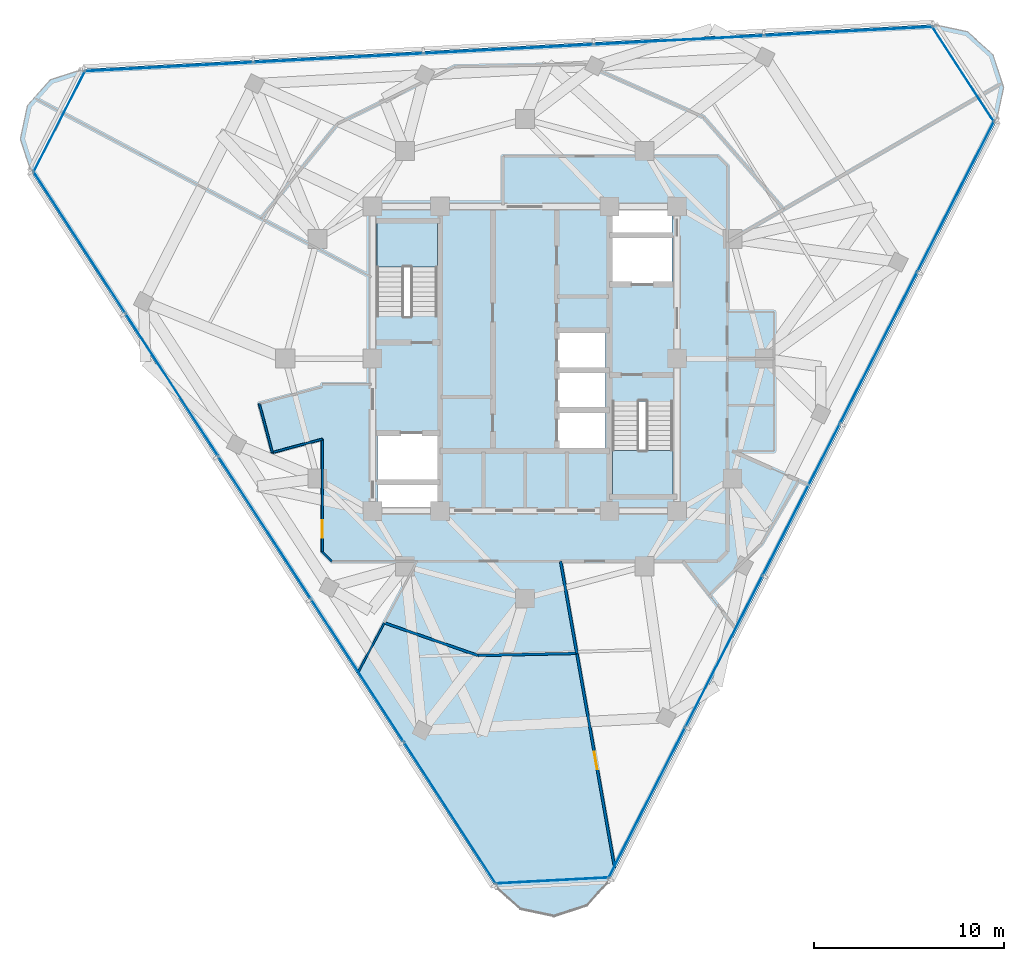
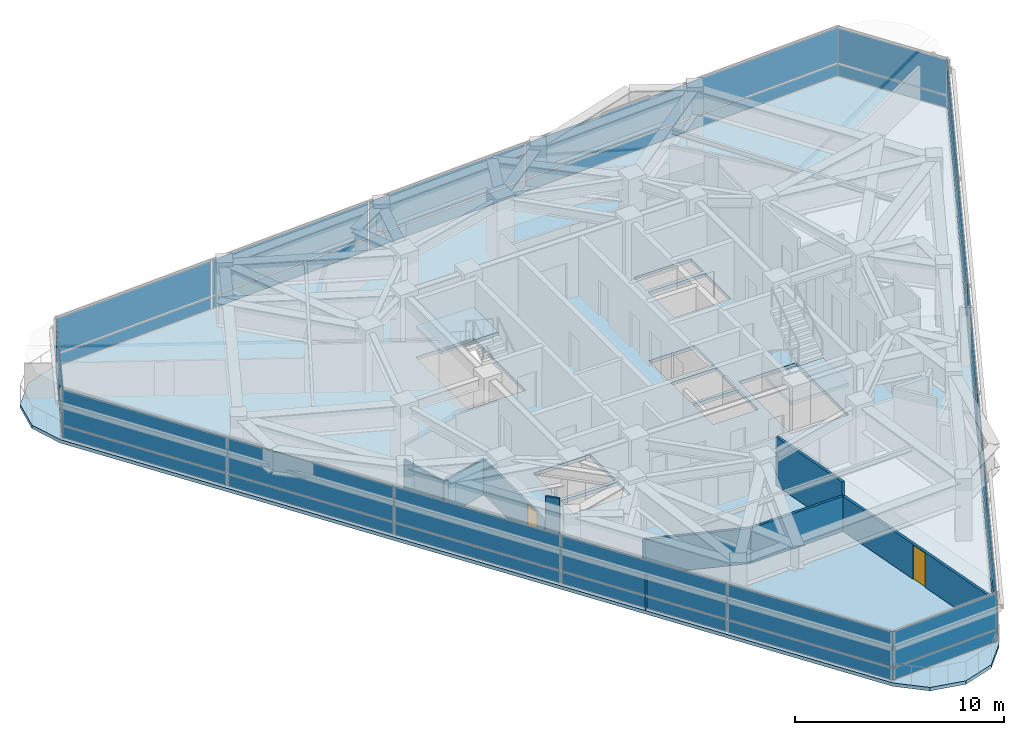
# One storey, part 7 of 15: 36 plates, 9 walls, 3 slabs, 2 doors, 2 openings, 8 elements without a shape of their own.
"""IFC4 building model written with IfcOpenShell, lengths in metres."""

from ifc_helpers import new_model, si_unit, direction, frame, frame_2d, origin, origin_2d, place, context, subcontext, project, spatial, polyline, rectangle, outline, extrude, material, layer, layer_set, type_object, element, fill, aggregate, save


model = new_model("IFC4")

# Units and contexts
model_context = context("Model", 3, precision=1e-05, world=origin(), true_north=direction((0.0, 1.0)))
body_context = subcontext(model_context, "Body", "Model", "MODEL_VIEW")
ifc_project = project(units=[si_unit("LENGTHUNIT", "METRE"), si_unit("AREAUNIT", "SQUARE_METRE"), si_unit("VOLUMEUNIT", "CUBIC_METRE"), si_unit("PLANEANGLEUNIT", "RADIAN"), si_unit("MASSUNIT", "GRAM", prefix="KILO")], contexts=[model_context])

# Site, building, storey
site_placement = place(None, origin())
site = spatial("IfcSite", under=ifc_project, at=site_placement, CompositionType="ELEMENT")
building_placement = place(site_placement, origin())
building = spatial("IfcBuilding", under=site, at=building_placement, Name="Terralouvre Media Tower", CompositionType="ELEMENT")
storey_placement = place(building_placement, frame((0.0, 0.0, 274.39990234375)))
storey = spatial("IfcBuildingStorey", under=building, at=storey_placement, Name="L71", CompositionType="ELEMENT", Elevation=274.39990234375)

# Slab
ifc_material_1 = material(Name="Concrete C40/50", Category="concrete")
ifc_layer_1 = layer(ifc_material_1, 0.199951171875, Name="Composite Tower Floor Slab S-TYP200")
ifc_layer_set_1 = layer_set([ifc_layer_1], Name="Concrete C40/50")
slab_type_1 = type_object("IfcSlabType", Name="Composite Tower Floor Slab S-TYP200", PredefinedType="FLOOR", material=ifc_layer_set_1)
slab_1_placement = place(storey_placement, frame((0.0, 0.0, -0.199951171875), z_axis=(0.0, 0.0, 1.0), x_axis=(0.45399049974, 0.891006524188, 0.0)))
element("IfcSlab", 1, at=slab_1_placement, inside=storey, type_object=slab_type_1, Name="L71 Structural Floor Slab", PredefinedType="FLOOR", context=body_context, shape_type="SweptSolid", body=[
    extrude(outline(polyline([(-25.43115234375, -11.1826171875), (-25.89990234375, -12.9326171875), (-25.43115234375, -14.6826171875), (-24.14990234375, -15.963623046875), (-22.39990234375, -16.4326171875), (22.39990234375, -16.4326171875), (24.14990234375, -15.963623046875), (25.43115234375, -14.6826171875), (25.89990234375, -12.9326171875), (25.43115234375, -11.1826171875), (3.031005859375, 27.615234375), (1.75, 28.896484375), (0.0, 29.365234375), (-1.75, 28.896484375), (-3.031005859375, 27.615234375), (-25.43115234375, -11.1826171875)]), holes=[polyline([(-7.968994140625, 1.102294921875), (-9.0380859375, 0.5576171875), (-10.46826171875, 3.3642578125), (-9.399169921875, 3.908935546875), (-7.968994140625, 1.102294921875)]), polyline([(-5.60791015625, 2.305419921875), (-7.790771484375, 1.193115234375), (-9.220947265625, 3.999755859375), (-7.037841796875, 5.112060546875), (-5.60791015625, 2.305419921875)]), polyline([(-4.38037109375, -7.39453125), (0.088134765625, -5.117919921875), (1.53173828125, -7.951171875), (-2.936767578125, -10.22802734375), (-4.38037109375, -7.39453125)]), polyline([(-0.547607421875, -5.048828125), (-2.276123046875, -5.9296875), (-3.4111328125, -3.7021484375), (-1.6826171875, -2.8212890625), (-0.547607421875, -5.048828125)]), polyline([(1.323486328125, -4.095458984375), (-0.405029296875, -4.976318359375), (-1.5400390625, -2.748779296875), (0.188720703125, -1.867919921875), (1.323486328125, -4.095458984375)]), polyline([(3.194580078125, -3.14208984375), (1.466064453125, -4.02294921875), (0.3310546875, -1.79541015625), (2.059814453125, -0.91455078125), (3.194580078125, -3.14208984375)]), polyline([(4.38037109375, 7.39453125), (-0.088134765625, 5.117919921875), (-1.53173828125, 7.951171875), (2.936767578125, 10.22802734375), (4.38037109375, 7.39453125)]), polyline([(7.037841796875, -5.112060546875), (5.60791015625, -2.305419921875), (7.790771484375, -1.193115234375), (9.220947265625, -3.999755859375), (7.037841796875, -5.112060546875)]), polyline([(9.399169921875, -3.908935546875), (7.968994140625, -1.102294921875), (9.0380859375, -0.5576171875), (10.46826171875, -3.3642578125), (9.399169921875, -3.908935546875)])]), origin(), (0.0, 0.0, 1.0), 0.199951171875),
])

# Stair, slab
ifc_material_2 = material(Name="Concrete C45/55", Category="concrete")
stair_type_1 = type_object("IfcStairType", Name="Dogleg Stair Assembly ST-01", PredefinedType="HALF_TURN_STAIR", material=ifc_material_2)
stair_1_placement = place(storey_placement, origin())
stair_1 = element("IfcStair", 2, at=stair_1_placement, inside=storey, type_object=stair_type_1, Name="L71 Core Pressurised Exit Stair ST-01", PredefinedType="HALF_TURN_STAIR")
ifc_material_3 = material(Name="Concrete C45/55", Category="concrete")
ifc_layer_2 = layer(ifc_material_3, 0.199951171875, Name="Reinforced Concrete Stair Half-Landing SL-LD1")
ifc_layer_set_2 = layer_set([ifc_layer_2], Name="Concrete C45/55")
slab_type_2 = type_object("IfcSlabType", Name="Reinforced Concrete Stair Half-Landing SL-LD1", PredefinedType="LANDING", material=ifc_layer_set_2)
slab_2_placement = place(storey_placement, frame((0.0, 0.0, 1.650146484375)))
slab_2 = element("IfcSlab", 3, at=slab_2_placement, type_object=slab_type_2, Name="ST-01 landing 1", PredefinedType="LANDING", context=body_context, shape_type="SweptSolid", body=[
    extrude(outline(polyline([(-4.60009765625, 4.820068359375), (-4.60009765625, 7.260009765625), (-7.780029296875, 7.260009765625), (-7.780029296875, 4.820068359375), (-4.60009765625, 4.820068359375)])), origin(), (0.0, 0.0, 1.0), 0.199951171875),
])
aggregate(stair_1, [slab_2])

ifc_material_4 = material(Name="Concrete C45/55", Category="concrete")
stair_type_2 = type_object("IfcStairType", Name="Dogleg Stair Assembly ST-02", PredefinedType="HALF_TURN_STAIR", material=ifc_material_4)
stair_2_placement = place(storey_placement, origin())
stair_2 = element("IfcStair", 4, at=stair_2_placement, inside=storey, type_object=stair_type_2, Name="L71 Core Pressurised Exit Stair ST-02", PredefinedType="HALF_TURN_STAIR")
slab_3_placement = place(storey_placement, frame((0.0, 0.0, 1.650146484375)))
slab_3 = element("IfcSlab", 5, at=slab_3_placement, type_object=slab_type_2, Name="ST-02 landing 1", PredefinedType="LANDING", context=body_context, shape_type="SweptSolid", body=[
    extrude(outline(polyline([(4.60009765625, -4.820068359375), (4.60009765625, -7.260009765625), (7.780029296875, -7.260009765625), (7.780029296875, -4.820068359375), (4.60009765625, -4.820068359375)])), origin(), (0.0, 0.0, 1.0), 0.199951171875),
])
aggregate(stair_2, [slab_3])

# Curtain wall, plates
ifc_material_5 = material(Name="Low-iron laminated double glazing with solar-control coating", Category="glass")
ifc_layer_3 = layer(ifc_material_5, 0.1650390625, Name="Rounded Wind-Corner Curved Glazing CW-04")
ifc_layer_set_3 = layer_set([ifc_layer_3], Name="Low-iron laminated double glazing with solar-control coating")
curtain_wall_type_1 = type_object("IfcCurtainWallType", Name="Rounded Wind-Corner Curved Glazing CW-04", PredefinedType="NOTDEFINED", material=ifc_layer_set_3)
curtain_wall_1_placement = place(storey_placement, origin())
curtain_wall_1 = element("IfcCurtainWall", 6, at=curtain_wall_1_placement, inside=storey, type_object=curtain_wall_type_1, Name="L71 Rounded Wind-Corner Curtain Wall C0", PredefinedType="NOTDEFINED")
ifc_material_6 = material(Name="Low-iron laminated double glazing with solar-control coating", Category="glass")
ifc_layer_4 = layer(ifc_material_6, 0.0400390625, Name="Rounded Corner Laminated Vision Panel CWP-03")
ifc_layer_set_4 = layer_set([ifc_layer_4], Name="Low-iron laminated double glazing with solar-control coating")
plate_type_1 = type_object("IfcPlateType", Name="Rounded Corner Laminated Vision Panel CWP-03", PredefinedType="CURTAIN_PANEL", material=ifc_layer_set_4)
plate_1_placement = place(storey_placement, frame((1.43798828125, -27.437744140625, 0.0751953125), z_axis=(0.0, 0.0, 1.0), x_axis=(0.998629533744, 0.05233597552, 0.0)))
plate_1 = element("IfcPlate", 7, at=plate_1_placement, type_object=plate_type_1, Name="CW-04 panel 1.1", PredefinedType="CURTAIN_PANEL", context=body_context, shape_type="SweptSolid", body=[
    extrude(rectangle(XDim=5.912109375, YDim=0.035888671875, at=origin_2d()), origin(), (0.0, 0.0, 1.0), 0.6875),
])
plate_2_placement = place(storey_placement, frame((1.43798828125, -27.437744140625, 0.83740234375), z_axis=(0.0, 0.0, 1.0), x_axis=(0.998629533744, 0.05233597552, 0.0)))
plate_2 = element("IfcPlate", 8, at=plate_2_placement, type_object=plate_type_1, Name="CW-04 panel 1.2", PredefinedType="CURTAIN_PANEL", context=body_context, shape_type="SweptSolid", body=[
    extrude(rectangle(XDim=5.912109375, YDim=0.035888671875, at=origin_2d()), origin(), (0.0, 0.0, 1.0), 2.047607421875),
])
aggregate(curtain_wall_1, [plate_1, plate_2])

curtain_wall_2_placement = place(storey_placement, origin())
curtain_wall_2 = element("IfcCurtainWall", 9, at=curtain_wall_2_placement, inside=storey, type_object=curtain_wall_type_1, Name="L71 Rounded Wind-Corner Curtain Wall C1", PredefinedType="NOTDEFINED")
plate_3_placement = place(storey_placement, frame((23.042724609375, 14.964111328125, 0.0751953125), z_axis=(0.0, 0.0, 1.0), x_axis=(-0.544639197097, 0.838670462688, 0.0)))
plate_3 = element("IfcPlate", 10, at=plate_3_placement, type_object=plate_type_1, Name="CW-04 panel 1.1", PredefinedType="CURTAIN_PANEL", context=body_context, shape_type="SweptSolid", body=[
    extrude(rectangle(XDim=5.912109375, YDim=0.035888671875, at=origin_2d()), origin(), (0.0, 0.0, 1.0), 0.6875),
])
plate_4_placement = place(storey_placement, frame((23.042724609375, 14.964111328125, 0.83740234375), z_axis=(0.0, 0.0, 1.0), x_axis=(-0.544639197097, 0.838670462688, 0.0)))
plate_4 = element("IfcPlate", 11, at=plate_4_placement, type_object=plate_type_1, Name="CW-04 panel 1.2", PredefinedType="CURTAIN_PANEL", context=body_context, shape_type="SweptSolid", body=[
    extrude(rectangle(XDim=5.912109375, YDim=0.035888671875, at=origin_2d()), origin(), (0.0, 0.0, 1.0), 2.047607421875),
])
aggregate(curtain_wall_2, [plate_3, plate_4])

curtain_wall_3_placement = place(storey_placement, origin())
curtain_wall_3 = element("IfcCurtainWall", 12, at=curtain_wall_3_placement, inside=storey, type_object=curtain_wall_type_1, Name="L71 Rounded Wind-Corner Curtain Wall C2", PredefinedType="NOTDEFINED")
plate_5_placement = place(storey_placement, frame((-24.480712890625, 12.4736328125, 0.0751953125), z_axis=(0.0, 0.0, 1.0), x_axis=(-0.453990349937, -0.891006600517, 0.0)))
plate_5 = element("IfcPlate", 13, at=plate_5_placement, type_object=plate_type_1, Name="CW-04 panel 1.1", PredefinedType="CURTAIN_PANEL", context=body_context, shape_type="SweptSolid", body=[
    extrude(rectangle(XDim=5.912109375, YDim=0.035888671875, at=origin_2d()), origin(), (0.0, 0.0, 1.0), 0.6875),
])
plate_6_placement = place(storey_placement, frame((-24.480712890625, 12.4736328125, 0.83740234375), z_axis=(0.0, 0.0, 1.0), x_axis=(-0.453990349937, -0.891006600517, 0.0)))
plate_6 = element("IfcPlate", 14, at=plate_6_placement, type_object=plate_type_1, Name="CW-04 panel 1.2", PredefinedType="CURTAIN_PANEL", context=body_context, shape_type="SweptSolid", body=[
    extrude(rectangle(XDim=5.912109375, YDim=0.035888671875, at=origin_2d()), origin(), (0.0, 0.0, 1.0), 2.047607421875),
])
aggregate(curtain_wall_3, [plate_5, plate_6])

ifc_material_7 = material(Name="Low-iron laminated double glazing with solar-control coating", Category="glass")
ifc_layer_5 = layer(ifc_material_7, 0.1650390625, Name="Upper Executive Tower Curtain Wall CW-05")
ifc_layer_set_5 = layer_set([ifc_layer_5], Name="Low-iron laminated double glazing with solar-control coating")
curtain_wall_type_2 = type_object("IfcCurtainWallType", Name="Upper Executive Tower Curtain Wall CW-05", PredefinedType="NOTDEFINED", material=ifc_layer_set_5)
curtain_wall_4_placement = place(storey_placement, origin())
curtain_wall_4 = element("IfcCurtainWall", 15, at=curtain_wall_4_placement, inside=storey, type_object=curtain_wall_type_2, Name="L71 Facade Curtain Wall F0", PredefinedType="NOTDEFINED")
ifc_material_8 = material(Name="Low-iron laminated double glazing with solar-control coating", Category="glass")
ifc_layer_6 = layer(ifc_material_8, 0.035888671875, Name="Vision Double-Glazed Unit CWP-01")
ifc_layer_set_6 = layer_set([ifc_layer_6], Name="Low-iron laminated double glazing with solar-control coating")
plate_type_2 = type_object("IfcPlateType", Name="Vision Double-Glazed Unit CWP-01", PredefinedType="CURTAIN_PANEL", material=ifc_layer_set_6)
plate_7_placement = place(storey_placement, frame((6.40771484375, -23.35595703125, 0.0751953125), z_axis=(0.0, 0.0, 1.0), x_axis=(0.45399044259, 0.891006553308, 0.0)))
plate_7 = element("IfcPlate", 16, at=plate_7_placement, type_object=plate_type_2, Name="CW-05 panel 1.1", PredefinedType="CURTAIN_PANEL", context=body_context, shape_type="SweptSolid", body=[
    extrude(rectangle(XDim=8.847412109375, YDim=0.035888671875, at=origin_2d()), origin(), (0.0, 0.0, 1.0), 0.6875),
])
plate_8_placement = place(storey_placement, frame((6.40771484375, -23.35595703125, 0.83740234375), z_axis=(0.0, 0.0, 1.0), x_axis=(0.45399044259, 0.891006553308, 0.0)))
plate_8 = element("IfcPlate", 17, at=plate_8_placement, type_object=plate_type_2, Name="CW-05 panel 1.2", PredefinedType="CURTAIN_PANEL", context=body_context, shape_type="SweptSolid", body=[
    extrude(rectangle(XDim=8.847412109375, YDim=0.035888671875, at=origin_2d()), origin(), (0.0, 0.0, 1.0), 2.047607421875),
])
plate_9_placement = place(storey_placement, frame((10.467041015625, -15.38916015625, 0.0751953125), z_axis=(0.0, 0.0, 1.0), x_axis=(0.45399044259, 0.891006553308, 0.0)))
plate_9 = element("IfcPlate", 18, at=plate_9_placement, type_object=plate_type_2, Name="CW-05 panel 2.1", PredefinedType="CURTAIN_PANEL", context=body_context, shape_type="SweptSolid", body=[
    extrude(rectangle(XDim=8.885009765625, YDim=0.035888671875, at=origin_2d()), origin(), (0.0, 0.0, 1.0), 0.6875),
])
plate_10_placement = place(storey_placement, frame((10.467041015625, -15.38916015625, 0.83740234375), z_axis=(0.0, 0.0, 1.0), x_axis=(0.45399044259, 0.891006553308, 0.0)))
plate_10 = element("IfcPlate", 19, at=plate_10_placement, type_object=plate_type_2, Name="CW-05 panel 2.2", PredefinedType="CURTAIN_PANEL", context=body_context, shape_type="SweptSolid", body=[
    extrude(rectangle(XDim=8.885009765625, YDim=0.035888671875, at=origin_2d()), origin(), (0.0, 0.0, 1.0), 2.047607421875),
])
plate_11_placement = place(storey_placement, frame((14.53466796875, -7.40576171875, 0.0751953125), z_axis=(0.0, 0.0, 1.0), x_axis=(0.45399044259, 0.891006553308, 0.0)))
plate_11 = element("IfcPlate", 20, at=plate_11_placement, type_object=plate_type_2, Name="CW-05 panel 3.1", PredefinedType="CURTAIN_PANEL", context=body_context, shape_type="SweptSolid", body=[
    extrude(rectangle(XDim=8.885009765625, YDim=0.035888671875, at=origin_2d()), origin(), (0.0, 0.0, 1.0), 0.6875),
])
plate_12_placement = place(storey_placement, frame((14.53466796875, -7.40576171875, 0.83740234375), z_axis=(0.0, 0.0, 1.0), x_axis=(0.45399044259, 0.891006553308, 0.0)))
plate_12 = element("IfcPlate", 21, at=plate_12_placement, type_object=plate_type_2, Name="CW-05 panel 3.2", PredefinedType="CURTAIN_PANEL", context=body_context, shape_type="SweptSolid", body=[
    extrude(rectangle(XDim=8.885009765625, YDim=0.035888671875, at=origin_2d()), origin(), (0.0, 0.0, 1.0), 2.047607421875),
])
plate_13_placement = place(storey_placement, frame((18.6025390625, 0.57763671875, 0.0751953125), z_axis=(0.0, 0.0, 1.0), x_axis=(0.45399044259, 0.891006553308, 0.0)))
plate_13 = element("IfcPlate", 22, at=plate_13_placement, type_object=plate_type_2, Name="CW-05 panel 4.1", PredefinedType="CURTAIN_PANEL", context=body_context, shape_type="SweptSolid", body=[
    extrude(rectangle(XDim=8.885009765625, YDim=0.035888671875, at=origin_2d()), origin(), (0.0, 0.0, 1.0), 0.6875),
])
plate_14_placement = place(storey_placement, frame((18.6025390625, 0.57763671875, 0.83740234375), z_axis=(0.0, 0.0, 1.0), x_axis=(0.45399044259, 0.891006553308, 0.0)))
plate_14 = element("IfcPlate", 23, at=plate_14_placement, type_object=plate_type_2, Name="CW-05 panel 4.2", PredefinedType="CURTAIN_PANEL", context=body_context, shape_type="SweptSolid", body=[
    extrude(rectangle(XDim=8.885009765625, YDim=0.035888671875, at=origin_2d()), origin(), (0.0, 0.0, 1.0), 2.047607421875),
])
plate_15_placement = place(storey_placement, frame((22.66162109375, 8.54443359375, 0.0751953125), z_axis=(0.0, 0.0, 1.0), x_axis=(0.45399044259, 0.891006553308, 0.0)))
plate_15 = element("IfcPlate", 24, at=plate_15_placement, type_object=plate_type_2, Name="CW-05 panel 5.1", PredefinedType="CURTAIN_PANEL", context=body_context, shape_type="SweptSolid", body=[
    extrude(rectangle(XDim=8.847412109375, YDim=0.035888671875, at=origin_2d()), origin(), (0.0, 0.0, 1.0), 0.6875),
])
plate_16_placement = place(storey_placement, frame((22.66162109375, 8.54443359375, 0.83740234375), z_axis=(0.0, 0.0, 1.0), x_axis=(0.45399044259, 0.891006553308, 0.0)))
plate_16 = element("IfcPlate", 25, at=plate_16_placement, type_object=plate_type_2, Name="CW-05 panel 5.2", PredefinedType="CURTAIN_PANEL", context=body_context, shape_type="SweptSolid", body=[
    extrude(rectangle(XDim=8.847412109375, YDim=0.035888671875, at=origin_2d()), origin(), (0.0, 0.0, 1.0), 2.047607421875),
])
aggregate(curtain_wall_4, [plate_7, plate_8, plate_9, plate_10, plate_11, plate_12, plate_13, plate_14, plate_15, plate_16])

curtain_wall_5_placement = place(storey_placement, origin())
curtain_wall_5 = element("IfcCurtainWall", 26, at=curtain_wall_5_placement, inside=storey, type_object=curtain_wall_type_2, Name="L71 Facade Curtain Wall F1", PredefinedType="NOTDEFINED")
plate_17_placement = place(storey_placement, frame((17.02294921875, 17.22705078125, 0.0751953125), z_axis=(0.0, 0.0, 1.0), x_axis=(-0.998629523875, -0.052336163844, 0.0)))
plate_17 = element("IfcPlate", 27, at=plate_17_placement, type_object=plate_type_2, Name="CW-05 panel 1.1", PredefinedType="CURTAIN_PANEL", context=body_context, shape_type="SweptSolid", body=[
    extrude(rectangle(XDim=8.847412109375, YDim=0.035888671875, at=origin_2d()), origin(), (0.0, 0.0, 1.0), 0.6875),
])
plate_18_placement = place(storey_placement, frame((17.02294921875, 17.22705078125, 0.83740234375), z_axis=(0.0, 0.0, 1.0), x_axis=(-0.998629523875, -0.052336163844, 0.0)))
plate_18 = element("IfcPlate", 28, at=plate_18_placement, type_object=plate_type_2, Name="CW-05 panel 1.2", PredefinedType="CURTAIN_PANEL", context=body_context, shape_type="SweptSolid", body=[
    extrude(rectangle(XDim=8.847412109375, YDim=0.035888671875, at=origin_2d()), origin(), (0.0, 0.0, 1.0), 2.047607421875),
])
plate_19_placement = place(storey_placement, frame((8.093994140625, 16.75927734375, 0.0751953125), z_axis=(0.0, 0.0, 1.0), x_axis=(-0.998629523875, -0.052336163844, 0.0)))
plate_19 = element("IfcPlate", 29, at=plate_19_placement, type_object=plate_type_2, Name="CW-05 panel 2.1", PredefinedType="CURTAIN_PANEL", context=body_context, shape_type="SweptSolid", body=[
    extrude(rectangle(XDim=8.885009765625, YDim=0.035888671875, at=origin_2d()), origin(), (0.0, 0.0, 1.0), 0.6875),
])
plate_20_placement = place(storey_placement, frame((8.093994140625, 16.75927734375, 0.83740234375), z_axis=(0.0, 0.0, 1.0), x_axis=(-0.998629523875, -0.052336163844, 0.0)))
plate_20 = element("IfcPlate", 30, at=plate_20_placement, type_object=plate_type_2, Name="CW-05 panel 2.2", PredefinedType="CURTAIN_PANEL", context=body_context, shape_type="SweptSolid", body=[
    extrude(rectangle(XDim=8.885009765625, YDim=0.035888671875, at=origin_2d()), origin(), (0.0, 0.0, 1.0), 2.047607421875),
])
plate_21_placement = place(storey_placement, frame((-0.853759765625, 16.290283203125, 0.0751953125), z_axis=(0.0, 0.0, 1.0), x_axis=(-0.998629523875, -0.052336163844, 0.0)))
plate_21 = element("IfcPlate", 31, at=plate_21_placement, type_object=plate_type_2, Name="CW-05 panel 3.1", PredefinedType="CURTAIN_PANEL", context=body_context, shape_type="SweptSolid", body=[
    extrude(rectangle(XDim=8.885009765625, YDim=0.035888671875, at=origin_2d()), origin(), (0.0, 0.0, 1.0), 0.6875),
])
plate_22_placement = place(storey_placement, frame((-0.853759765625, 16.290283203125, 0.83740234375), z_axis=(0.0, 0.0, 1.0), x_axis=(-0.998629523875, -0.052336163844, 0.0)))
plate_22 = element("IfcPlate", 32, at=plate_22_placement, type_object=plate_type_2, Name="CW-05 panel 3.2", PredefinedType="CURTAIN_PANEL", context=body_context, shape_type="SweptSolid", body=[
    extrude(rectangle(XDim=8.885009765625, YDim=0.035888671875, at=origin_2d()), origin(), (0.0, 0.0, 1.0), 2.047607421875),
])
plate_23_placement = place(storey_placement, frame((-9.801513671875, 15.8212890625, 0.0751953125), z_axis=(0.0, 0.0, 1.0), x_axis=(-0.998629523875, -0.052336163844, 0.0)))
plate_23 = element("IfcPlate", 33, at=plate_23_placement, type_object=plate_type_2, Name="CW-05 panel 4.1", PredefinedType="CURTAIN_PANEL", context=body_context, shape_type="SweptSolid", body=[
    extrude(rectangle(XDim=8.885009765625, YDim=0.035888671875, at=origin_2d()), origin(), (0.0, 0.0, 1.0), 0.6875),
])
plate_24_placement = place(storey_placement, frame((-9.801513671875, 15.8212890625, 0.83740234375), z_axis=(0.0, 0.0, 1.0), x_axis=(-0.998629523875, -0.052336163844, 0.0)))
plate_24 = element("IfcPlate", 34, at=plate_24_placement, type_object=plate_type_2, Name="CW-05 panel 4.2", PredefinedType="CURTAIN_PANEL", context=body_context, shape_type="SweptSolid", body=[
    extrude(rectangle(XDim=8.885009765625, YDim=0.035888671875, at=origin_2d()), origin(), (0.0, 0.0, 1.0), 2.047607421875),
])
plate_25_placement = place(storey_placement, frame((-18.73046875, 15.353515625, 0.0751953125), z_axis=(0.0, 0.0, 1.0), x_axis=(-0.998629523875, -0.052336163844, 0.0)))
plate_25 = element("IfcPlate", 35, at=plate_25_placement, type_object=plate_type_2, Name="CW-05 panel 5.1", PredefinedType="CURTAIN_PANEL", context=body_context, shape_type="SweptSolid", body=[
    extrude(rectangle(XDim=8.847412109375, YDim=0.035888671875, at=origin_2d()), origin(), (0.0, 0.0, 1.0), 0.6875),
])
plate_26_placement = place(storey_placement, frame((-18.73046875, 15.353515625, 0.83740234375), z_axis=(0.0, 0.0, 1.0), x_axis=(-0.998629523875, -0.052336163844, 0.0)))
plate_26 = element("IfcPlate", 36, at=plate_26_placement, type_object=plate_type_2, Name="CW-05 panel 5.2", PredefinedType="CURTAIN_PANEL", context=body_context, shape_type="SweptSolid", body=[
    extrude(rectangle(XDim=8.847412109375, YDim=0.035888671875, at=origin_2d()), origin(), (0.0, 0.0, 1.0), 2.047607421875),
])
aggregate(curtain_wall_5, [plate_17, plate_18, plate_19, plate_20, plate_21, plate_22, plate_23, plate_24, plate_25, plate_26])

curtain_wall_6_placement = place(storey_placement, origin())
curtain_wall_6 = element("IfcCurtainWall", 37, at=curtain_wall_6_placement, inside=storey, type_object=curtain_wall_type_2, Name="L71 Facade Curtain Wall F2", PredefinedType="NOTDEFINED")
plate_27_placement = place(storey_placement, frame((-23.4306640625, 6.128662109375, 0.0751953125), z_axis=(0.0, 0.0, 1.0), x_axis=(0.544639069077, -0.838670545826, 0.0)))
plate_27 = element("IfcPlate", 38, at=plate_27_placement, type_object=plate_type_2, Name="CW-05 panel 1.1", PredefinedType="CURTAIN_PANEL", context=body_context, shape_type="SweptSolid", body=[
    extrude(rectangle(XDim=8.847412109375, YDim=0.035888671875, at=origin_2d()), origin(), (0.0, 0.0, 1.0), 0.6875),
])
plate_28_placement = place(storey_placement, frame((-23.4306640625, 6.128662109375, 0.83740234375), z_axis=(0.0, 0.0, 1.0), x_axis=(0.544639069077, -0.838670545826, 0.0)))
plate_28 = element("IfcPlate", 39, at=plate_28_placement, type_object=plate_type_2, Name="CW-05 panel 1.2", PredefinedType="CURTAIN_PANEL", context=body_context, shape_type="SweptSolid", body=[
    extrude(rectangle(XDim=8.847412109375, YDim=0.035888671875, at=origin_2d()), origin(), (0.0, 0.0, 1.0), 2.047607421875),
])
plate_29_placement = place(storey_placement, frame((-18.560791015625, -1.3701171875, 0.0751953125), z_axis=(0.0, 0.0, 1.0), x_axis=(0.544639069077, -0.838670545826, 0.0)))
plate_29 = element("IfcPlate", 40, at=plate_29_placement, type_object=plate_type_2, Name="CW-05 panel 2.1", PredefinedType="CURTAIN_PANEL", context=body_context, shape_type="SweptSolid", body=[
    extrude(rectangle(XDim=8.885009765625, YDim=0.035888671875, at=origin_2d()), origin(), (0.0, 0.0, 1.0), 0.6875),
])
plate_30_placement = place(storey_placement, frame((-18.560791015625, -1.3701171875, 0.83740234375), z_axis=(0.0, 0.0, 1.0), x_axis=(0.544639069077, -0.838670545826, 0.0)))
plate_30 = element("IfcPlate", 41, at=plate_30_placement, type_object=plate_type_2, Name="CW-05 panel 2.2", PredefinedType="CURTAIN_PANEL", context=body_context, shape_type="SweptSolid", body=[
    extrude(rectangle(XDim=8.885009765625, YDim=0.035888671875, at=origin_2d()), origin(), (0.0, 0.0, 1.0), 2.047607421875),
])
plate_31_placement = place(storey_placement, frame((-13.680908203125, -8.884521484375, 0.0751953125), z_axis=(0.0, 0.0, 1.0), x_axis=(0.544639069077, -0.838670545826, 0.0)))
plate_31 = element("IfcPlate", 42, at=plate_31_placement, type_object=plate_type_2, Name="CW-05 panel 3.1", PredefinedType="CURTAIN_PANEL", context=body_context, shape_type="SweptSolid", body=[
    extrude(rectangle(XDim=8.885009765625, YDim=0.035888671875, at=origin_2d()), origin(), (0.0, 0.0, 1.0), 0.6875),
])
plate_32_placement = place(storey_placement, frame((-13.680908203125, -8.884521484375, 0.83740234375), z_axis=(0.0, 0.0, 1.0), x_axis=(0.544639069077, -0.838670545826, 0.0)))
plate_32 = element("IfcPlate", 43, at=plate_32_placement, type_object=plate_type_2, Name="CW-05 panel 3.2", PredefinedType="CURTAIN_PANEL", context=body_context, shape_type="SweptSolid", body=[
    extrude(rectangle(XDim=8.885009765625, YDim=0.035888671875, at=origin_2d()), origin(), (0.0, 0.0, 1.0), 2.047607421875),
])
plate_33_placement = place(storey_placement, frame((-8.801025390625, -16.39892578125, 0.0751953125), z_axis=(0.0, 0.0, 1.0), x_axis=(0.544639069077, -0.838670545826, 0.0)))
plate_33 = element("IfcPlate", 44, at=plate_33_placement, type_object=plate_type_2, Name="CW-05 panel 4.1", PredefinedType="CURTAIN_PANEL", context=body_context, shape_type="SweptSolid", body=[
    extrude(rectangle(XDim=8.885009765625, YDim=0.035888671875, at=origin_2d()), origin(), (0.0, 0.0, 1.0), 0.6875),
])
plate_34_placement = place(storey_placement, frame((-8.801025390625, -16.39892578125, 0.83740234375), z_axis=(0.0, 0.0, 1.0), x_axis=(0.544639069077, -0.838670545826, 0.0)))
plate_34 = element("IfcPlate", 45, at=plate_34_placement, type_object=plate_type_2, Name="CW-05 panel 4.2", PredefinedType="CURTAIN_PANEL", context=body_context, shape_type="SweptSolid", body=[
    extrude(rectangle(XDim=8.885009765625, YDim=0.035888671875, at=origin_2d()), origin(), (0.0, 0.0, 1.0), 2.047607421875),
])
plate_35_placement = place(storey_placement, frame((-3.93115234375, -23.897705078125, 0.0751953125), z_axis=(0.0, 0.0, 1.0), x_axis=(0.544639069077, -0.838670545826, 0.0)))
plate_35 = element("IfcPlate", 46, at=plate_35_placement, type_object=plate_type_2, Name="CW-05 panel 5.1", PredefinedType="CURTAIN_PANEL", context=body_context, shape_type="SweptSolid", body=[
    extrude(rectangle(XDim=8.847412109375, YDim=0.035888671875, at=origin_2d()), origin(), (0.0, 0.0, 1.0), 0.6875),
])
plate_36_placement = place(storey_placement, frame((-3.93115234375, -23.897705078125, 0.83740234375), z_axis=(0.0, 0.0, 1.0), x_axis=(0.544639069077, -0.838670545826, 0.0)))
plate_36 = element("IfcPlate", 47, at=plate_36_placement, type_object=plate_type_2, Name="CW-05 panel 5.2", PredefinedType="CURTAIN_PANEL", context=body_context, shape_type="SweptSolid", body=[
    extrude(rectangle(XDim=8.847412109375, YDim=0.035888671875, at=origin_2d()), origin(), (0.0, 0.0, 1.0), 2.047607421875),
])
aggregate(curtain_wall_6, [plate_27, plate_28, plate_29, plate_30, plate_31, plate_32, plate_33, plate_34, plate_35, plate_36])

# Walls
ifc_material_9 = material(Name="Low-iron laminated double glazing with solar-control coating", Category="glass")
ifc_layer_7 = layer(ifc_material_9, 0.10009765625, Name="Demountable Glazed Office Partition PT-GL100")
ifc_layer_set_7 = layer_set([ifc_layer_7], Name="Low-iron laminated double glazing with solar-control coating")
wall_type_1 = type_object("IfcWallType", Name="Demountable Glazed Office Partition PT-GL100", PredefinedType="MOVABLE", material=ifc_layer_set_7)
wall_1_placement = place(storey_placement, frame((-13.9619140625, -2.368896484375, 0.0), z_axis=(0.0, 0.0, 1.0), x_axis=(0.258413725385, -0.966034340245, 0.0)))
element("IfcWall", 48, at=wall_1_placement, inside=storey, type_object=wall_type_1, Name="L71 Interior Partition 003", PredefinedType="MOVABLE", context=body_context, shape_type="SweptSolid", body=[
    extrude(rectangle(XDim=2.650146484375, YDim=0.10009765625, at=frame_2d((1.3251953125, 0.0))), origin(), (0.0, 0.0, 1.0), 2.045166015625),
])
wall_2_placement = place(storey_placement, frame((-13.277099609375, -4.928955078125, 0.0), z_axis=(0.0, 0.0, 1.0), x_axis=(0.965934830229, 0.258785439601, 0.0)))
element("IfcWall", 49, at=wall_2_placement, inside=storey, type_object=wall_type_1, Name="L71 Interior Partition 004", PredefinedType="MOVABLE", context=body_context, shape_type="SweptSolid", body=[
    extrude(rectangle(XDim=2.719970703125, YDim=0.10009765625, at=frame_2d((1.35986328125, 0.0))), origin(), (0.0, 0.0, 1.0), 2.045166015625),
])

# Wall, opening, door
wall_3_placement = place(storey_placement, frame((-10.64990234375, -4.22509765625, 0.0), z_axis=(0.0, 0.0, 1.0), x_axis=(0.0, -1.0, 0.0)))
wall_3 = element("IfcWall", 50, at=wall_3_placement, inside=storey, type_object=wall_type_1, Name="L71 Interior Partition 005", PredefinedType="MOVABLE", context=body_context, shape_type="SweptSolid", body=[
    extrude(rectangle(XDim=5.9248046875, YDim=0.10009765625, at=frame_2d((2.96240234375, 0.0))), origin(), (0.0, 0.0, 1.0), 2.045166015625),
])
opening_1_placement = place(wall_3_placement, frame((4.280029296875, 0.0, 0.0)))
opening_1 = element("IfcOpeningElement", 51, at=opening_1_placement, cuts=wall_3, Name="Opening ID-03", PredefinedType="OPENING", context=body_context, shape_type="SweptSolid", body=[
    extrude(rectangle(XDim=0.919921875, YDim=2.0, at=frame_2d((0.4599609375, 1.0))), frame((0.0, 0.06005859375, 0.0), z_axis=(0.0, -1.0, 0.0), x_axis=(1.0, 0.0, 0.0)), (0.0, 0.0, 1.0), 0.1201171875),
])
ifc_material_10 = material(Name="Engineered hardwood acoustic timber leaf", Category="wood")
door_type = type_object("IfcDoorType", Name="Accessible Restroom and Suite Door ID-03", OperationType="NOTDEFINED", PredefinedType="DOOR", material=ifc_material_10)
door_1_placement = place(opening_1_placement, origin())
door_1 = element("IfcDoor", 52, at=door_1_placement, inside=storey, type_object=door_type, Name="L71 Script Readout Seminar Room 1 Door", OperationType="SINGLE_SWING_RIGHT", OverallHeight=2.0, OverallWidth=0.919921875, PredefinedType="DOOR", context=body_context, shape_type="SweptSolid", body=[
    extrude(rectangle(XDim=0.919921875, YDim=2.0, at=frame_2d((0.4599609375, 1.0))), frame((0.0, 0.02490234375, 0.0), z_axis=(0.0, -1.0, 0.0), x_axis=(1.0, 0.0, 0.0)), (0.0, 0.0, 1.0), 0.050048828125),
])
fill(opening_1, door_1)

# Walls
wall_4_placement = place(storey_placement, frame((-10.64990234375, -10.14990234375, 0.0), z_axis=(0.0, 0.0, 1.0), x_axis=(0.707106781187, -0.707106781187, 0.0)))
element("IfcWall", 53, at=wall_4_placement, inside=storey, type_object=wall_type_1, Name="L71 Interior Partition 006", PredefinedType="MOVABLE", context=body_context, shape_type="SweptSolid", body=[
    extrude(rectangle(XDim=0.70703125, YDim=0.10009765625, at=frame_2d((0.353515625, 0.0))), origin(), (0.0, 0.0, 1.0), 3.460205078125),
])
wall_5_placement = place(storey_placement, frame((-8.777587890625, -16.508544921875, 0.0), z_axis=(0.0, 0.0, 1.0), x_axis=(0.469528331535, 0.882917406039, 0.0)))
element("IfcWall", 54, at=wall_5_placement, inside=storey, type_object=wall_type_1, Name="L71 Interior Partition 022", PredefinedType="MOVABLE", context=body_context, shape_type="SweptSolid", body=[
    extrude(rectangle(XDim=2.9658203125, YDim=0.10009765625, at=frame_2d((1.48291015625, 0.0))), origin(), (0.0, 0.0, 1.0), 2.045166015625),
])
ifc_material_11 = material(Name="Fire-rated gypsum board drywall partition")
ifc_layer_8 = layer(ifc_material_11, 0.135009765625, Name="Newsroom Acoustic Partition PT-135")
ifc_layer_set_8 = layer_set([ifc_layer_8], Name="Fire-rated gypsum board drywall partition")
wall_type_2 = type_object("IfcWallType", Name="Newsroom Acoustic Partition PT-135", PredefinedType="PARTITIONING", material=ifc_layer_set_8)
wall_6_placement = place(storey_placement, frame((-7.385009765625, -13.889892578125, 0.0), z_axis=(0.0, 0.0, 1.0), x_axis=(0.944127206291, -0.329581277291, 0.0)))
element("IfcWall", 55, at=wall_6_placement, inside=storey, type_object=wall_type_2, Name="L71 Interior Partition 025", PredefinedType="PARTITIONING", context=body_context, shape_type="SweptSolid", body=[
    extrude(rectangle(XDim=5.203857421875, YDim=0.135009765625, at=frame_2d((2.60205078125, 0.0))), origin(), (0.0, 0.0, 1.0), 2.045166015625),
])
wall_7_placement = place(storey_placement, frame((-2.471923828125, -15.60498046875, 0.0), z_axis=(0.0, 0.0, 1.0), x_axis=(0.999764165326, 0.021716669413, 0.0)))
element("IfcWall", 56, at=wall_7_placement, inside=storey, type_object=wall_type_2, Name="L71 Interior Partition 026", PredefinedType="PARTITIONING", context=body_context, shape_type="SweptSolid", body=[
    extrude(rectangle(XDim=5.205078125, YDim=0.135009765625, at=frame_2d((2.6025390625, 0.0))), origin(), (0.0, 0.0, 1.0), 2.045166015625),
])
wall_8_placement = place(storey_placement, frame((2.73193359375, -15.491943359375, 0.0), z_axis=(0.0, 0.0, 1.0), x_axis=(-0.173691855807, 0.984800050379, 0.0)))
element("IfcWall", 57, at=wall_8_placement, inside=storey, type_object=wall_type_2, Name="L71 Interior Partition 027", PredefinedType="PARTITIONING", context=body_context, shape_type="SweptSolid", body=[
    extrude(rectangle(XDim=4.916748046875, YDim=0.135009765625, at=frame_2d((2.45849609375, 0.0))), origin(), (0.0, 0.0, 1.0), 2.84521484375),
])

# Wall, opening, door
wall_9_placement = place(storey_placement, frame((4.718505859375, -26.75927734375, 0.0), z_axis=(0.0, 0.0, 1.0), x_axis=(-0.173634384425, 0.984810185033, 0.0)))
wall_9 = element("IfcWall", 58, at=wall_9_placement, inside=storey, type_object=wall_type_2, Name="L71 Interior Partition 028", PredefinedType="PARTITIONING", context=body_context, shape_type="SweptSolid", body=[
    extrude(rectangle(XDim=11.441162109375, YDim=0.135009765625, at=frame_2d((5.720703125, 0.0))), origin(), (0.0, 0.0, 1.0), 2.045166015625),
])
opening_2_placement = place(wall_9_placement, frame((5.260498046875, 0.0, 0.0)))
opening_2 = element("IfcOpeningElement", 59, at=opening_2_placement, cuts=wall_9, Name="Opening ID-03", PredefinedType="OPENING", context=body_context, shape_type="SweptSolid", body=[
    extrude(rectangle(XDim=0.919921875, YDim=2.0, at=frame_2d((0.4599609375, 1.0))), frame((0.0, 0.077392578125, 0.0), z_axis=(0.0, -1.0, 0.0), x_axis=(1.0, 0.0, 0.0)), (0.0, 0.0, 1.0), 0.155029296875),
])
door_2_placement = place(opening_2_placement, origin())
door_2 = element("IfcDoor", 60, at=door_2_placement, inside=storey, type_object=door_type, Name="L71 Equipment Locker 3 Door", OperationType="SINGLE_SWING_RIGHT", OverallHeight=2.0, OverallWidth=0.919921875, PredefinedType="DOOR", context=body_context, shape_type="SweptSolid", body=[
    extrude(rectangle(XDim=0.919921875, YDim=2.0, at=frame_2d((0.4599609375, 1.0))), frame((0.0, 0.02490234375, 0.0), z_axis=(0.0, -1.0, 0.0), x_axis=(1.0, 0.0, 0.0)), (0.0, 0.0, 1.0), 0.050048828125),
])
fill(opening_2, door_2)

save(model, "model.ifc")
